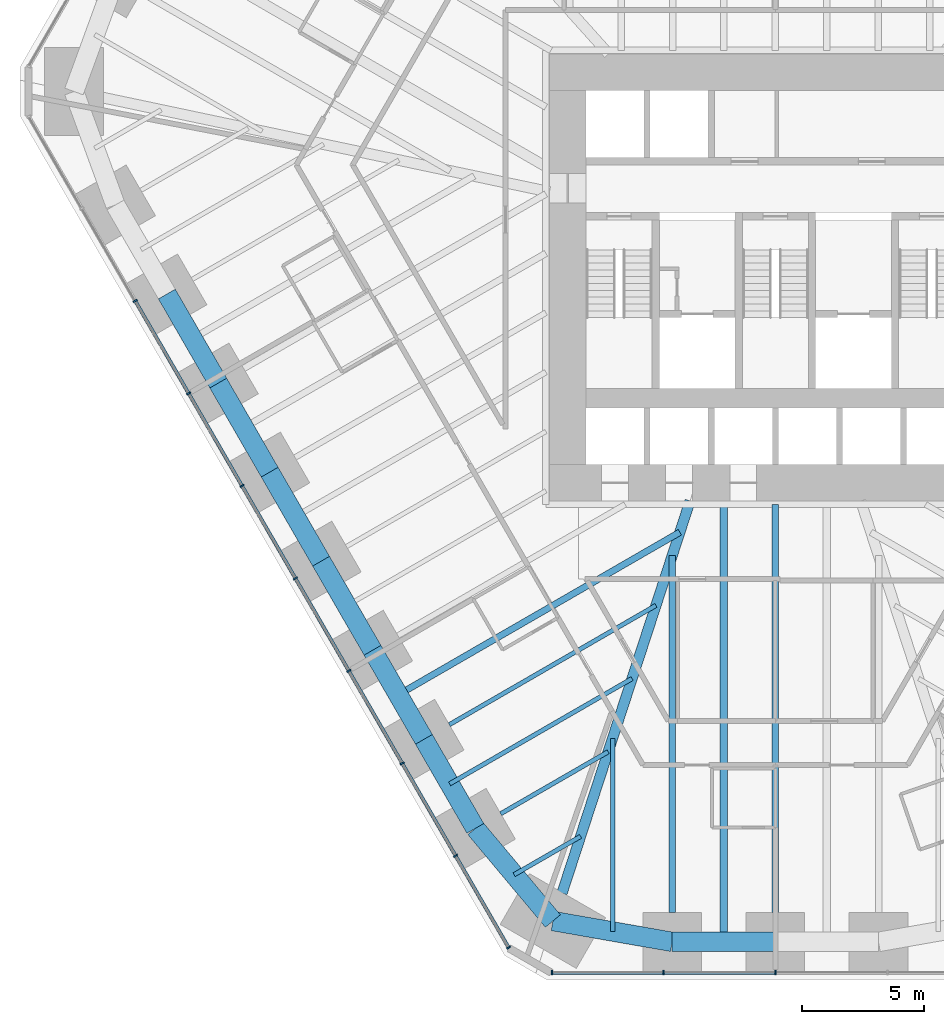
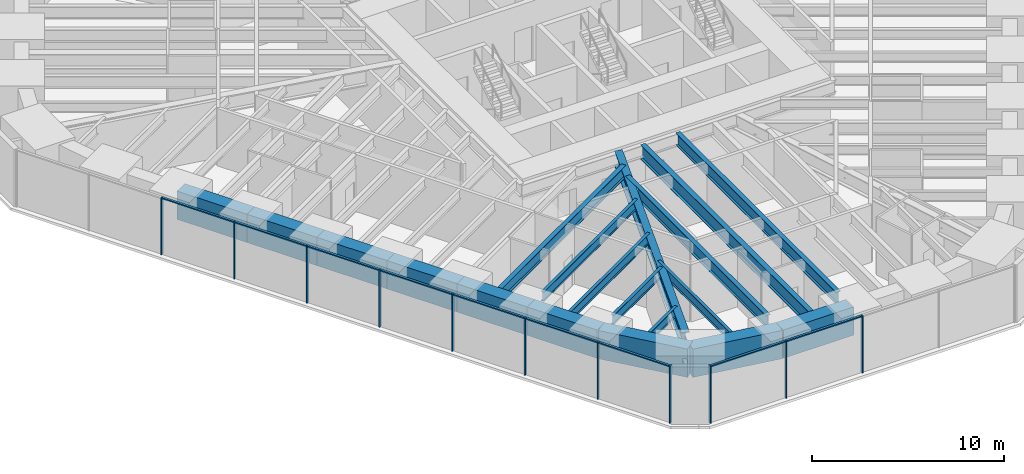
# One storey, part 2 of 17: 20 members, 19 beams, 2 elements without a shape of their own.
"""IFC4 building model written with IfcOpenShell, lengths in metres."""

from ifc_helpers import new_model, si_unit, direction, frame, origin, origin_2d, place, context, subcontext, project, spatial, rectangle, i_section, extrude, material, material_profile, profile_set, type_object, element, aggregate, save


model = new_model("IFC4")

# Units and contexts
model_context = context("Model", 3, precision=1e-05, world=origin(), true_north=direction((0.0, 1.0)))
body_context = subcontext(model_context, "Body", "Model", "MODEL_VIEW")
ifc_project = project(units=[si_unit("LENGTHUNIT", "METRE"), si_unit("AREAUNIT", "SQUARE_METRE"), si_unit("VOLUMEUNIT", "CUBIC_METRE"), si_unit("PLANEANGLEUNIT", "RADIAN"), si_unit("MASSUNIT", "GRAM", prefix="KILO")], contexts=[model_context])

# Site, building, storey
site_placement = place(None, origin())
site = spatial("IfcSite", under=ifc_project, at=site_placement, CompositionType="ELEMENT")
building_placement = place(site_placement, origin())
building = spatial("IfcBuilding", under=site, at=building_placement, Name="Sandreach Pilgrim Tower", CompositionType="ELEMENT")
storey_placement = place(building_placement, frame((0.0, 0.0, 49.60009765625)))
storey = spatial("IfcBuildingStorey", under=building, at=storey_placement, Name="L11", CompositionType="ELEMENT", Elevation=49.60009765625)

# Curtain wall, members
ifc_material_1 = material(Name="Aluminium framed curtain wall", Category="aluminium")
curtain_wall_type = type_object("IfcCurtainWallType", Name="Hostel tower curtain wall", PredefinedType="NOTDEFINED", material=ifc_material_1)
curtain_wall_1_placement = place(storey_placement, origin())
curtain_wall_1 = element("IfcCurtainWall", 1, at=curtain_wall_1_placement, inside=storey, type_object=curtain_wall_type, Name="CW-1 L11 S", PredefinedType="NOTDEFINED")
ifc_material_2 = material(Name="Aluminium extrusion", Category="aluminium")
ifc_material_profile_1 = material_profile(ifc_material_2, rectangle(XDim=0.06494140625, YDim=0.179931640625, at=origin_2d()), Name="CW-1M 65X180")
ifc_profile_set_1 = profile_set([ifc_material_profile_1], Name="Aluminium extrusion")
member_type_1 = type_object("IfcMemberType", Name="CW-1 mullion", PredefinedType="MULLION", material=ifc_profile_set_1)
member_1_placement = place(storey_placement, frame((0.0, -30.010986328125, 0.0), z_axis=(0.0, 0.0, 1.0), x_axis=(-1.0, 0.0, 0.0)))
member_1 = element("IfcMember", 2, at=member_1_placement, type_object=member_type_1, Name="CW-1 mullion 3", PredefinedType="MULLION", context=body_context, shape_type="SweptSolid", body=[
    extrude(rectangle(XDim=0.06494140625, YDim=0.179931640625, at=origin_2d()), origin(), (0.0, 0.0, 1.0), 3.639892578125),
])
member_2_placement = place(storey_placement, frame((-4.5859375, -30.010986328125, 0.0), z_axis=(0.0, 0.0, 1.0), x_axis=(-1.0, 0.0, 0.0)))
member_2 = element("IfcMember", 3, at=member_2_placement, type_object=member_type_1, Name="CW-1 mullion 4", PredefinedType="MULLION", context=body_context, shape_type="SweptSolid", body=[
    extrude(rectangle(XDim=0.06494140625, YDim=0.179931640625, at=origin_2d()), origin(), (0.0, 0.0, 1.0), 3.639892578125),
])
member_3_placement = place(storey_placement, frame((-9.1396484375, -30.010986328125, 0.0), z_axis=(0.0, 0.0, 1.0), x_axis=(-1.0, 0.0, 0.0)))
member_3 = element("IfcMember", 4, at=member_3_placement, type_object=member_type_1, Name="CW-1 mullion 5", PredefinedType="MULLION", context=body_context, shape_type="SweptSolid", body=[
    extrude(rectangle(XDim=0.06494140625, YDim=0.179931640625, at=origin_2d()), origin(), (0.0, 0.0, 1.0), 3.639892578125),
])

curtain_wall_2_placement = place(storey_placement, origin())
curtain_wall_2 = element("IfcCurtainWall", 5, at=curtain_wall_2_placement, inside=storey, type_object=curtain_wall_type, Name="CW-1 L11 SW", PredefinedType="NOTDEFINED")
member_4_placement = place(storey_placement, frame((-10.92041015625, -28.982666015625, 0.0), z_axis=(0.0, 0.0, 1.0), x_axis=(-0.5, 0.866025403784, 0.0)))
member_4 = element("IfcMember", 6, at=member_4_placement, type_object=member_type_1, Name="CW-1 mullion 1", PredefinedType="MULLION", context=body_context, shape_type="SweptSolid", body=[
    extrude(rectangle(XDim=0.06494140625, YDim=0.179931640625, at=origin_2d()), origin(), (0.0, 0.0, 1.0), 3.639892578125),
])
member_5_placement = place(storey_placement, frame((-13.08984375, -25.22509765625, 0.0), z_axis=(0.0, 0.0, 1.0), x_axis=(-0.5, 0.866025403784, 0.0)))
member_5 = element("IfcMember", 7, at=member_5_placement, type_object=member_type_1, Name="CW-1 mullion 2", PredefinedType="MULLION", context=body_context, shape_type="SweptSolid", body=[
    extrude(rectangle(XDim=0.06494140625, YDim=0.179931640625, at=origin_2d()), origin(), (0.0, 0.0, 1.0), 3.639892578125),
])
member_6_placement = place(storey_placement, frame((-15.275634765625, -21.439208984375, 0.0), z_axis=(0.0, 0.0, 1.0), x_axis=(-0.5, 0.866025403784, 0.0)))
member_6 = element("IfcMember", 8, at=member_6_placement, type_object=member_type_1, Name="CW-1 mullion 3", PredefinedType="MULLION", context=body_context, shape_type="SweptSolid", body=[
    extrude(rectangle(XDim=0.06494140625, YDim=0.179931640625, at=origin_2d()), origin(), (0.0, 0.0, 1.0), 3.639892578125),
])
member_7_placement = place(storey_placement, frame((-17.46142578125, -17.6533203125, 0.0), z_axis=(0.0, 0.0, 1.0), x_axis=(-0.5, 0.866025403784, 0.0)))
member_7 = element("IfcMember", 9, at=member_7_placement, type_object=member_type_1, Name="CW-1 mullion 4", PredefinedType="MULLION", context=body_context, shape_type="SweptSolid", body=[
    extrude(rectangle(XDim=0.06494140625, YDim=0.179931640625, at=origin_2d()), origin(), (0.0, 0.0, 1.0), 3.639892578125),
])
member_8_placement = place(storey_placement, frame((-19.647216796875, -13.8671875, 0.0), z_axis=(0.0, 0.0, 1.0), x_axis=(-0.5, 0.866025403784, 0.0)))
member_8 = element("IfcMember", 10, at=member_8_placement, type_object=member_type_1, Name="CW-1 mullion 5", PredefinedType="MULLION", context=body_context, shape_type="SweptSolid", body=[
    extrude(rectangle(XDim=0.06494140625, YDim=0.179931640625, at=origin_2d()), origin(), (0.0, 0.0, 1.0), 3.639892578125),
])
member_9_placement = place(storey_placement, frame((-21.8330078125, -10.081298828125, 0.0), z_axis=(0.0, 0.0, 1.0), x_axis=(-0.5, 0.866025403784, 0.0)))
member_9 = element("IfcMember", 11, at=member_9_placement, type_object=member_type_1, Name="CW-1 mullion 6", PredefinedType="MULLION", context=body_context, shape_type="SweptSolid", body=[
    extrude(rectangle(XDim=0.06494140625, YDim=0.179931640625, at=origin_2d()), origin(), (0.0, 0.0, 1.0), 3.639892578125),
])
member_10_placement = place(storey_placement, frame((-24.018798828125, -6.29541015625, 0.0), z_axis=(0.0, 0.0, 1.0), x_axis=(-0.5, 0.866025403784, 0.0)))
member_10 = element("IfcMember", 12, at=member_10_placement, type_object=member_type_1, Name="CW-1 mullion 7", PredefinedType="MULLION", context=body_context, shape_type="SweptSolid", body=[
    extrude(rectangle(XDim=0.06494140625, YDim=0.179931640625, at=origin_2d()), origin(), (0.0, 0.0, 1.0), 3.639892578125),
])
member_11_placement = place(storey_placement, frame((-26.20458984375, -2.509521484375, 0.0), z_axis=(0.0, 0.0, 1.0), x_axis=(-0.5, 0.866025403784, 0.0)))
member_11 = element("IfcMember", 13, at=member_11_placement, type_object=member_type_1, Name="CW-1 mullion 8", PredefinedType="MULLION", context=body_context, shape_type="SweptSolid", body=[
    extrude(rectangle(XDim=0.06494140625, YDim=0.179931640625, at=origin_2d()), origin(), (0.0, 0.0, 1.0), 3.639892578125),
])

# Member
ifc_material_3 = material(Name="Aluminium extrusion", Category="aluminium")
ifc_material_profile_2 = material_profile(ifc_material_3, rectangle(XDim=0.139892578125, YDim=0.070068359375, at=origin_2d()), Name="CW-1T 140X70")
ifc_profile_set_2 = profile_set([ifc_material_profile_2], Name="Aluminium extrusion")
member_type_2 = type_object("IfcMemberType", Name="CW-1 transom", PredefinedType="USERDEFINED", material=ifc_profile_set_2)
member_12_placement = place(storey_placement, frame((-0.032470703125, -30.010986328125, 3.60498046875), z_axis=(-1.0, 0.0, 0.0), x_axis=(0.0, -1.0, 0.0)))
member_12 = element("IfcMember", 14, at=member_12_placement, type_object=member_type_2, Name="CW-1 head transom 3", ObjectType="TRANSOM", PredefinedType="USERDEFINED", context=body_context, shape_type="SweptSolid", body=[
    extrude(rectangle(XDim=0.139892578125, YDim=0.070068359375, at=origin_2d()), origin(), (0.0, 0.0, 1.0), 4.52099609375),
])

member_13_placement = place(storey_placement, frame((-4.61865234375, -30.010986328125, 3.60498046875), z_axis=(-1.0, 0.0, 0.0), x_axis=(0.0, -1.0, 0.0)))
member_13 = element("IfcMember", 15, at=member_13_placement, type_object=member_type_2, Name="CW-1 head transom 4", ObjectType="TRANSOM", PredefinedType="USERDEFINED", context=body_context, shape_type="SweptSolid", body=[
    extrude(rectangle(XDim=0.139892578125, YDim=0.070068359375, at=origin_2d()), origin(), (0.0, 0.0, 1.0), 4.488525390625),
])

aggregate(curtain_wall_1, [member_1, member_2, member_3, member_12, member_13])

member_14_placement = place(storey_placement, frame((-10.9365234375, -28.95458984375, 3.60498046875), z_axis=(-0.500033953635, 0.866005799756, 0.0), x_axis=(-0.866005799756, -0.500033953635, 0.0)))
member_14 = element("IfcMember", 16, at=member_14_placement, type_object=member_type_2, Name="CW-1 head transom 1", ObjectType="TRANSOM", PredefinedType="USERDEFINED", context=body_context, shape_type="SweptSolid", body=[
    extrude(rectangle(XDim=0.139892578125, YDim=0.070068359375, at=origin_2d()), origin(), (0.0, 0.0, 1.0), 4.274169921875),
])

member_15_placement = place(storey_placement, frame((-13.106201171875, -25.19677734375, 3.60498046875), z_axis=(-0.500016891966, 0.866015650984, 0.0), x_axis=(-0.866015650984, -0.500016891966, 0.0)))
member_15 = element("IfcMember", 17, at=member_15_placement, type_object=member_type_2, Name="CW-1 head transom 2", ObjectType="TRANSOM", PredefinedType="USERDEFINED", context=body_context, shape_type="SweptSolid", body=[
    extrude(rectangle(XDim=0.139892578125, YDim=0.070068359375, at=origin_2d()), origin(), (0.0, 0.0, 1.0), 4.306396484375),
])

member_16_placement = place(storey_placement, frame((-15.2919921875, -21.410888671875, 3.60498046875), z_axis=(-0.500016891966, 0.866015650984, 0.0), x_axis=(-0.866015650984, -0.500016891966, 0.0)))
member_16 = element("IfcMember", 18, at=member_16_placement, type_object=member_type_2, Name="CW-1 head transom 3", ObjectType="TRANSOM", PredefinedType="USERDEFINED", context=body_context, shape_type="SweptSolid", body=[
    extrude(rectangle(XDim=0.139892578125, YDim=0.070068359375, at=origin_2d()), origin(), (0.0, 0.0, 1.0), 4.306396484375),
])

member_17_placement = place(storey_placement, frame((-17.477783203125, -17.625, 3.60498046875), z_axis=(-0.500016891966, 0.866015650984, 0.0), x_axis=(-0.866015650984, -0.500016891966, 0.0)))
member_17 = element("IfcMember", 19, at=member_17_placement, type_object=member_type_2, Name="CW-1 head transom 4", ObjectType="TRANSOM", PredefinedType="USERDEFINED", context=body_context, shape_type="SweptSolid", body=[
    extrude(rectangle(XDim=0.139892578125, YDim=0.070068359375, at=origin_2d()), origin(), (0.0, 0.0, 1.0), 4.306396484375),
])

member_18_placement = place(storey_placement, frame((-19.66357421875, -13.839111328125, 3.60498046875), z_axis=(-0.500016891966, 0.866015650984, 0.0), x_axis=(-0.866015650984, -0.500016891966, 0.0)))
member_18 = element("IfcMember", 20, at=member_18_placement, type_object=member_type_2, Name="CW-1 head transom 5", ObjectType="TRANSOM", PredefinedType="USERDEFINED", context=body_context, shape_type="SweptSolid", body=[
    extrude(rectangle(XDim=0.139892578125, YDim=0.070068359375, at=origin_2d()), origin(), (0.0, 0.0, 1.0), 4.306396484375),
])

member_19_placement = place(storey_placement, frame((-21.849365234375, -10.05322265625, 3.60498046875), z_axis=(-0.500016891966, 0.866015650984, 0.0), x_axis=(-0.866015650984, -0.500016891966, 0.0)))
member_19 = element("IfcMember", 21, at=member_19_placement, type_object=member_type_2, Name="CW-1 head transom 6", ObjectType="TRANSOM", PredefinedType="USERDEFINED", context=body_context, shape_type="SweptSolid", body=[
    extrude(rectangle(XDim=0.139892578125, YDim=0.070068359375, at=origin_2d()), origin(), (0.0, 0.0, 1.0), 4.306396484375),
])

member_20_placement = place(storey_placement, frame((-24.03515625, -6.267333984375, 3.60498046875), z_axis=(-0.500016891966, 0.866015650984, 0.0), x_axis=(-0.866015650984, -0.500016891966, 0.0)))
member_20 = element("IfcMember", 22, at=member_20_placement, type_object=member_type_2, Name="CW-1 head transom 7", ObjectType="TRANSOM", PredefinedType="USERDEFINED", context=body_context, shape_type="SweptSolid", body=[
    extrude(rectangle(XDim=0.139892578125, YDim=0.070068359375, at=origin_2d()), origin(), (0.0, 0.0, 1.0), 4.306396484375),
])

aggregate(curtain_wall_2, [member_4, member_5, member_6, member_7, member_8, member_9, member_10, member_11, member_14, member_15, member_16, member_17, member_18, member_19, member_20])

# Beams
ifc_material_4 = material(Name="Steel ASTM A992 Grade 50", Category="steel")
ifc_material_profile_3 = material_profile(ifc_material_4, i_section(OverallWidth=0.424072265625, OverallDepth=0.965087890625, WebThickness=0.028564453125, FlangeThickness=0.051025390625, at=origin_2d()), Name="W36X361")
ifc_profile_set_3 = profile_set([ifc_material_profile_3], Name="Steel ASTM A992 Grade 50")
beam_type_1 = type_object("IfcBeamType", Name="Corner girder W36X361", PredefinedType="BEAM", material=ifc_profile_set_3)
beam_1_placement = place(storey_placement, frame((-8.73388671875, -26.756103515625, 3.1572265625), z_axis=(0.310315410754, 0.950633654911, 0.0), x_axis=(-0.950633654911, 0.310315410754, 0.0)))
element("IfcBeam", 23, at=beam_1_placement, inside=storey, type_object=beam_type_1, Name="BM L11 CG26", PredefinedType="BEAM", context=body_context, shape_type="SweptSolid", body=[
    extrude(i_section(OverallWidth=0.424072265625, OverallDepth=0.965087890625, WebThickness=0.028564453125, FlangeThickness=0.051025390625, at=origin_2d()), origin(), (0.0, 0.0, 1.0), 16.889892578125),
])
ifc_material_5 = material(Name="Steel ASTM A992 Grade 50", Category="steel")
ifc_material_profile_4 = material_profile(ifc_material_5, i_section(OverallWidth=0.1787109375, OverallDepth=0.60205078125, WebThickness=0.010986328125, FlangeThickness=0.014892578125, at=origin_2d()), Name="W24X62")
ifc_profile_set_4 = profile_set([ifc_material_profile_4], Name="Steel ASTM A992 Grade 50")
beam_type_2 = type_object("IfcBeamType", Name="Floor beam W24X62", PredefinedType="BEAM", material=ifc_profile_set_4)
beam_2_placement = place(storey_placement, frame((-11.242431640625, -23.5048828125, 3.3388671875), z_axis=(0.866027897259, 0.49999568115, 0.0), x_axis=(-0.49999568115, 0.866027897259, 0.0)))
element("IfcBeam", 24, at=beam_2_placement, inside=storey, type_object=beam_type_2, Name="BM L11 F27", PredefinedType="BEAM", context=body_context, shape_type="SweptSolid", body=[
    extrude(i_section(OverallWidth=0.1787109375, OverallDepth=0.60205078125, WebThickness=0.010986328125, FlangeThickness=0.014892578125, at=origin_2d()), origin(), (0.0, 0.0, 1.0), 5.0791015625),
])
beam_3_placement = place(storey_placement, frame((-13.347412109375, -19.859130859375, 3.3388671875), z_axis=(0.866025751498, 0.499999397742, 0.0), x_axis=(-0.499999397742, 0.866025751498, 0.0)))
element("IfcBeam", 25, at=beam_3_placement, inside=storey, type_object=beam_type_2, Name="BM L11 F28", PredefinedType="BEAM", context=body_context, shape_type="SweptSolid", body=[
    extrude(i_section(OverallWidth=0.1787109375, OverallDepth=0.60205078125, WebThickness=0.010986328125, FlangeThickness=0.014892578125, at=origin_2d()), origin(), (0.0, 0.0, 1.0), 9.767578125),
])
beam_4_placement = place(storey_placement, frame((-6.664306640625, -28.323974609375, 3.3388671875), z_axis=(0.0, 1.0, 0.0), x_axis=(-1.0, 0.0, 0.0)))
element("IfcBeam", 26, at=beam_4_placement, inside=storey, type_object=beam_type_2, Name="BM L11 FM25", PredefinedType="BEAM", context=body_context, shape_type="SweptSolid", body=[
    extrude(i_section(OverallWidth=0.1787109375, OverallDepth=0.60205078125, WebThickness=0.010986328125, FlangeThickness=0.014892578125, at=origin_2d()), origin(), (0.0, 0.0, 1.0), 7.907958984375),
])
beam_5_placement = place(storey_placement, frame((-10.694091796875, -26.0009765625, 3.3388671875), z_axis=(0.866023718453, 0.500002919068, 0.0), x_axis=(-0.500002919068, 0.866023718453, 0.0)))
element("IfcBeam", 27, at=beam_5_placement, inside=storey, type_object=beam_type_2, Name="BM L11 FM26", PredefinedType="BEAM", context=body_context, shape_type="SweptSolid", body=[
    extrude(i_section(OverallWidth=0.1787109375, OverallDepth=0.60205078125, WebThickness=0.010986328125, FlangeThickness=0.014892578125, at=origin_2d()), origin(), (0.0, 0.0, 1.0), 3.1396484375),
])
beam_6_placement = place(storey_placement, frame((-13.334228515625, -22.281982421875, 3.3388671875), z_axis=(0.86602717807, 0.499996926835, 0.0), x_axis=(-0.499996926835, 0.86602717807, 0.0)))
element("IfcBeam", 28, at=beam_6_placement, inside=storey, type_object=beam_type_2, Name="BM L11 FM27", PredefinedType="BEAM", context=body_context, shape_type="SweptSolid", body=[
    extrude(i_section(OverallWidth=0.1787109375, OverallDepth=0.60205078125, WebThickness=0.010986328125, FlangeThickness=0.014892578125, at=origin_2d()), origin(), (0.0, 0.0, 1.0), 8.62353515625),
])
ifc_material_6 = material(Name="Steel ASTM A992 Grade 50", Category="steel")
ifc_material_profile_5 = material_profile(ifc_material_6, i_section(OverallWidth=0.2666015625, OverallDepth=0.761962890625, WebThickness=0.014404296875, FlangeThickness=0.021484375, at=origin_2d()), Name="W30X116")
ifc_profile_set_5 = profile_set([ifc_material_profile_5], Name="Steel ASTM A992 Grade 50")
beam_type_3 = type_object("IfcBeamType", Name="Floor beam W30X116", PredefinedType="BEAM", material=ifc_profile_set_5)
beam_7_placement = place(storey_placement, frame((-4.222412109375, -27.55078125, 3.2587890625), z_axis=(0.0, 1.0, 0.0), x_axis=(-1.0, 0.0, 0.0)))
element("IfcBeam", 29, at=beam_7_placement, inside=storey, type_object=beam_type_3, Name="BM L11 F25", PredefinedType="BEAM", context=body_context, shape_type="SweptSolid", body=[
    extrude(i_section(OverallWidth=0.2666015625, OverallDepth=0.761962890625, WebThickness=0.014404296875, FlangeThickness=0.021484375, at=origin_2d()), origin(), (0.0, 0.0, 1.0), 14.61572265625),
])
beam_8_placement = place(storey_placement, frame((-15.43896484375, -18.63623046875, 3.2587890625), z_axis=(0.866021271874, 0.50000715661, 0.0), x_axis=(-0.50000715661, 0.866021271874, 0.0)))
element("IfcBeam", 30, at=beam_8_placement, inside=storey, type_object=beam_type_3, Name="BM L11 FM28", PredefinedType="BEAM", context=body_context, shape_type="SweptSolid", body=[
    extrude(i_section(OverallWidth=0.2666015625, OverallDepth=0.761962890625, WebThickness=0.014404296875, FlangeThickness=0.021484375, at=origin_2d()), origin(), (0.0, 0.0, 1.0), 13.311767578125),
])
ifc_material_7 = material(Name="Steel ASTM A992 Grade 50", Category="steel")
ifc_material_profile_6 = material_profile(ifc_material_7, i_section(OverallWidth=0.2666015625, OverallDepth=0.77978515625, WebThickness=0.0166015625, FlangeThickness=0.030029296875, at=origin_2d()), Name="W30X148")
ifc_profile_set_6 = profile_set([ifc_material_profile_6], Name="Steel ASTM A992 Grade 50")
beam_type_4 = type_object("IfcBeamType", Name="Floor beam W30X148", PredefinedType="BEAM", material=ifc_profile_set_6)
beam_9_placement = place(storey_placement, frame((0.0, -27.55078125, 3.25), z_axis=(0.0, 1.0, 0.0), x_axis=(-1.0, 0.0, 0.0)))
element("IfcBeam", 31, at=beam_9_placement, inside=storey, type_object=beam_type_4, Name="BM L11 F24", PredefinedType="BEAM", context=body_context, shape_type="SweptSolid", body=[
    extrude(i_section(OverallWidth=0.2666015625, OverallDepth=0.77978515625, WebThickness=0.0166015625, FlangeThickness=0.030029296875, at=origin_2d()), origin(), (0.0, 0.0, 1.0), 16.70751953125),
])
ifc_material_8 = material(Name="Steel ASTM A992 Grade 50", Category="steel")
ifc_material_profile_7 = material_profile(ifc_material_8, i_section(OverallWidth=0.3046875, OverallDepth=0.914306640625, WebThickness=0.0166015625, FlangeThickness=0.02587890625, at=origin_2d()), Name="W36X160")
ifc_profile_set_7 = profile_set([ifc_material_profile_7], Name="Steel ASTM A992 Grade 50")
beam_type_5 = type_object("IfcBeamType", Name="Floor beam W36X160", PredefinedType="BEAM", material=ifc_profile_set_7)
beam_10_placement = place(storey_placement, frame((-2.111083984375, -28.7509765625, 3.1826171875), z_axis=(0.0, 1.0, 0.0), x_axis=(-1.0, 0.0, 0.0)))
element("IfcBeam", 32, at=beam_10_placement, inside=storey, type_object=beam_type_5, Name="BM L11 FM24", PredefinedType="BEAM", context=body_context, shape_type="SweptSolid", body=[
    extrude(i_section(OverallWidth=0.3046875, OverallDepth=0.914306640625, WebThickness=0.0166015625, FlangeThickness=0.02587890625, at=origin_2d()), origin(), (0.0, 0.0, 1.0), 17.90771484375),
])
ifc_material_9 = material(Name="Concrete 10000 psi", Category="concrete")
ifc_material_profile_8 = material_profile(ifc_material_9, rectangle(XDim=0.800048828125, YDim=1.800048828125, at=origin_2d()), Name="RC800X1800")
ifc_profile_set_8 = profile_set([ifc_material_profile_8], Name="Concrete 10000 psi")
beam_type_6 = type_object("IfcBeamType", Name="Spandrel beam RC800X1800", PredefinedType="SPANDREL", material=ifc_profile_set_8)
beam_11_placement = place(storey_placement, frame((0.0, -28.7509765625, 2.739990234375), z_axis=(-1.0, 0.0, 0.0), x_axis=(0.0, -1.0, 0.0)))
element("IfcBeam", 33, at=beam_11_placement, inside=storey, type_object=beam_type_6, Name="BM L11 SP24", PredefinedType="SPANDREL", context=body_context, shape_type="SweptSolid", body=[
    extrude(rectangle(XDim=0.800048828125, YDim=1.800048828125, at=origin_2d()), origin(), (0.0, 0.0, 1.0), 4.222412109375),
])
beam_12_placement = place(storey_placement, frame((-4.222412109375, -28.7509765625, 2.739990234375), z_axis=(-0.985054495501, 0.17224297052, 0.0), x_axis=(-0.17224297052, -0.985054495501, 0.0)))
element("IfcBeam", 34, at=beam_12_placement, inside=storey, type_object=beam_type_6, Name="BM L11 SP25", PredefinedType="SPANDREL", context=body_context, shape_type="SweptSolid", body=[
    extrude(rectangle(XDim=0.800048828125, YDim=1.800048828125, at=origin_2d()), origin(), (0.0, 0.0, 1.0), 4.958251953125),
])
beam_13_placement = place(storey_placement, frame((-9.1064453125, -27.89697265625, 2.739990234375), z_axis=(-0.642008193922, 0.766697775488, 0.0), x_axis=(-0.766697775488, -0.642008193922, 0.0)))
element("IfcBeam", 35, at=beam_13_placement, inside=storey, type_object=beam_type_6, Name="BM L11 SP26", PredefinedType="SPANDREL", context=body_context, shape_type="SweptSolid", body=[
    extrude(rectangle(XDim=0.800048828125, YDim=1.800048828125, at=origin_2d()), origin(), (0.0, 0.0, 1.0), 4.94580078125),
])
beam_14_placement = place(storey_placement, frame((-12.28173828125, -24.10498046875, 2.739990234375), z_axis=(-0.499993523031, 0.866029143232, 0.0), x_axis=(-0.866029143232, -0.499993523031, 0.0)))
element("IfcBeam", 36, at=beam_14_placement, inside=storey, type_object=beam_type_6, Name="BM L11 SP27", PredefinedType="SPANDREL", context=body_context, shape_type="SweptSolid", body=[
    extrude(rectangle(XDim=0.800048828125, YDim=1.800048828125, at=origin_2d()), origin(), (0.0, 0.0, 1.0), 4.2099609375),
])
beam_15_placement = place(storey_placement, frame((-14.38671875, -20.458984375, 2.739990234375), z_axis=(-0.499975138639, 0.866039757022, 0.0), x_axis=(-0.866039757022, -0.499975138639, 0.0)))
element("IfcBeam", 37, at=beam_15_placement, inside=storey, type_object=beam_type_6, Name="BM L11 SP28", PredefinedType="SPANDREL", context=body_context, shape_type="SweptSolid", body=[
    extrude(rectangle(XDim=0.800048828125, YDim=1.800048828125, at=origin_2d()), origin(), (0.0, 0.0, 1.0), 4.209716796875),
])
beam_16_placement = place(storey_placement, frame((-16.491455078125, -16.813232421875, 2.739990234375), z_axis=(-0.499993523031, 0.866029143232, 0.0), x_axis=(-0.866029143232, -0.499993523031, 0.0)))
element("IfcBeam", 38, at=beam_16_placement, inside=storey, type_object=beam_type_6, Name="BM L11 SP29", PredefinedType="SPANDREL", context=body_context, shape_type="SweptSolid", body=[
    extrude(rectangle(XDim=0.800048828125, YDim=1.800048828125, at=origin_2d()), origin(), (0.0, 0.0, 1.0), 4.2099609375),
])
beam_17_placement = place(storey_placement, frame((-18.596435546875, -13.167236328125, 2.739990234375), z_axis=(-0.50001863446, 0.866014644907, 0.0), x_axis=(-0.866014644907, -0.50001863446, 0.0)))
element("IfcBeam", 39, at=beam_17_placement, inside=storey, type_object=beam_type_6, Name="BM L11 SP30", PredefinedType="SPANDREL", context=body_context, shape_type="SweptSolid", body=[
    extrude(rectangle(XDim=0.800048828125, YDim=1.800048828125, at=origin_2d()), origin(), (0.0, 0.0, 1.0), 4.209716796875),
])
beam_18_placement = place(storey_placement, frame((-20.701416015625, -9.521484375, 2.739990234375), z_axis=(-0.499993523031, 0.866029143232, 0.0), x_axis=(-0.866029143232, -0.499993523031, 0.0)))
element("IfcBeam", 40, at=beam_18_placement, inside=storey, type_object=beam_type_6, Name="BM L11 SP31", PredefinedType="SPANDREL", context=body_context, shape_type="SweptSolid", body=[
    extrude(rectangle(XDim=0.800048828125, YDim=1.800048828125, at=origin_2d()), origin(), (0.0, 0.0, 1.0), 4.2099609375),
])
beam_19_placement = place(storey_placement, frame((-22.806396484375, -5.87548828125, 2.739990234375), z_axis=(-0.50001863446, 0.866014644907, 0.0), x_axis=(-0.866014644907, -0.50001863446, 0.0)))
element("IfcBeam", 41, at=beam_19_placement, inside=storey, type_object=beam_type_6, Name="BM L11 SP32", PredefinedType="SPANDREL", context=body_context, shape_type="SweptSolid", body=[
    extrude(rectangle(XDim=0.800048828125, YDim=1.800048828125, at=origin_2d()), origin(), (0.0, 0.0, 1.0), 4.209716796875),
])

save(model, "model.ifc")
